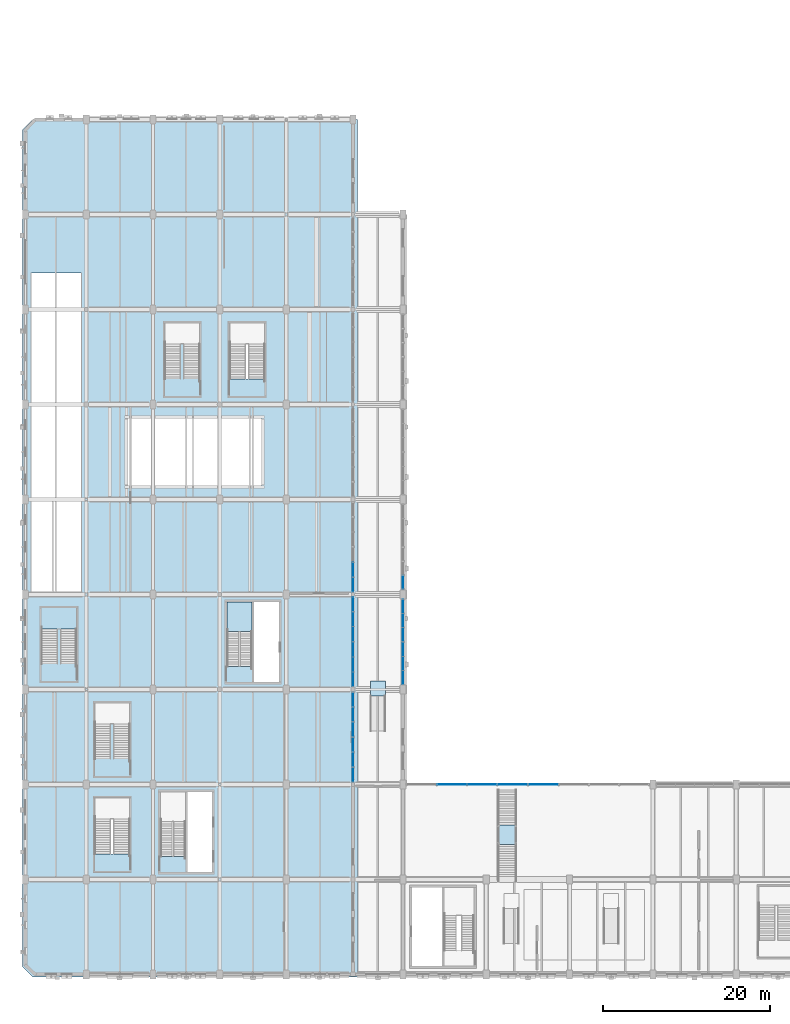
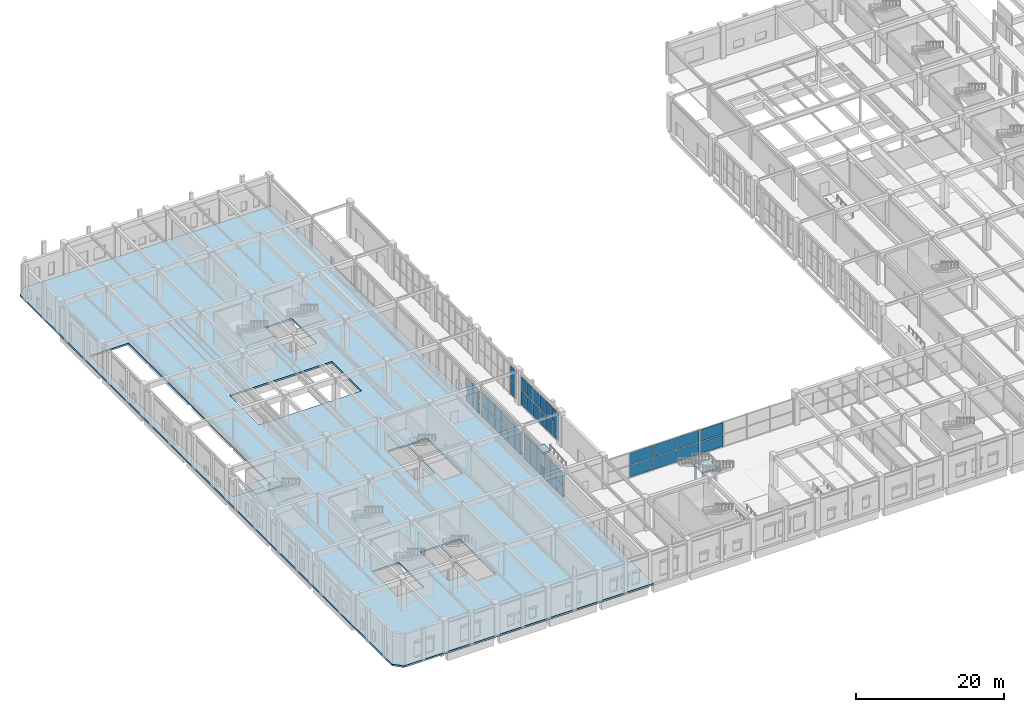
# One storey, part 73 of 113: 50 plates, 5 slabs, 13 elements without a shape of their own.
"""IFC4 building model written with IfcOpenShell, lengths in metres."""

import ifcopenshell
import ifcopenshell.guid

model = None  # the IFC model being written
_history = None  # IfcOwnerHistory: only IFC2X3 demands one
_inside = {}  # id of a spatial element -> (the spatial element, [elements in it])
_under = {}  # id of a project, library or spatial element -> (it, [spatial elements below it])
_declared = {}  # id of a project -> (the project, [libraries it declares])
_typed = {}  # id of a type object -> (the type object, [elements of that type])
_made_of = {}  # id of a material, layer set ... -> (it, [elements and type objects made of it])


def new_model(schema):
    """Start an empty IFC model of exactly this schema.

    Asked for "IFC4X3", IfcOpenShell would pick the latest addendum, in which some entities
    have other attributes; the version numbers below select the first issue.
    IFC2X3 requires an IfcOwnerHistory on every rooted entity: one is made here for all.
    """
    global model, _history
    if schema == "IFC4X3":
        model = ifcopenshell.file(schema_version=(4, 3, 0, 0))
    else:
        model = ifcopenshell.file(schema=schema)
    _inside.clear()
    _under.clear()
    _declared.clear()
    _typed.clear()
    _made_of.clear()
    _history = None
    if model.schema == "IFC2X3":
        org = make("IfcOrganization", Name="unknown")
        user = make(
            "IfcPersonAndOrganization",
            ThePerson=make("IfcPerson", FamilyName="unknown"),
            TheOrganization=org,
        )
        app = make(
            "IfcApplication",
            ApplicationDeveloper=org,
            Version="unknown",
            ApplicationFullName="unknown",
            ApplicationIdentifier="unknown",
        )
        _history = make(
            "IfcOwnerHistory",
            OwningUser=user,
            OwningApplication=app,
            ChangeAction="ADDED",
            CreationDate=0,
        )
    return model


def make(cls, **values):
    """One entity of the class cls with the attributes given. An attribute that is None is left unset."""
    return model.create_entity(
        cls, **{name: value for name, value in values.items() if value is not None}
    )


def rooted(cls, **values):
    """An entity with a GlobalId (a new one), such as an element, a storey or a relation."""
    return make(cls, GlobalId=ifcopenshell.guid.new(), OwnerHistory=_history, **values)


def si_unit(unit_type, name, prefix=None):
    """IfcSIUnit, for example si_unit("LENGTHUNIT", "METRE", prefix="MILLI")."""
    return make("IfcSIUnit", UnitType=unit_type, Prefix=prefix, Name=name)


def assignment(units):
    """IfcUnitAssignment: the units of a project."""
    return None if units is None else make("IfcUnitAssignment", Units=units)


def point(xyz):
    """IfcCartesianPoint."""
    return None if xyz is None else make("IfcCartesianPoint", Coordinates=xyz)


def direction(xyz):
    """IfcDirection."""
    return None if xyz is None else make("IfcDirection", DirectionRatios=xyz)


def frame(location, z_axis=None, x_axis=None):
    """IfcAxis2Placement3D, a coordinate frame: its origin and axes. An axis left out is left unset."""
    return make(
        "IfcAxis2Placement3D",
        Location=point(location),
        Axis=direction(z_axis),
        RefDirection=direction(x_axis),
    )


def frame_2d(location, x_axis=None):
    """IfcAxis2Placement2D, a coordinate frame in the plane: its origin and x axis."""
    return make(
        "IfcAxis2Placement2D", Location=point(location), RefDirection=direction(x_axis)
    )


def origin():
    """The frame at (0, 0, 0) with its axes left unset."""
    return frame((0.0, 0.0, 0.0))


def origin_2d():
    """The frame at (0, 0) in the plane with its x axis left unset."""
    return frame_2d((0.0, 0.0))


def place(relative_to, where):
    """IfcLocalPlacement: puts the frame where relative to a parent placement (None: the world)."""
    return make(
        "IfcLocalPlacement", PlacementRelTo=relative_to, RelativePlacement=where
    )


def context(
    kind, dimensions, precision=None, world=None, true_north=None, identifier=None
):
    """IfcGeometricRepresentationContext, for example the 3D "Model" context."""
    return make(
        "IfcGeometricRepresentationContext",
        ContextIdentifier=identifier,
        ContextType=kind,
        CoordinateSpaceDimension=dimensions,
        Precision=precision,
        WorldCoordinateSystem=world,
        TrueNorth=true_north,
    )


def subcontext(parent, identifier, kind, view, scale=None):
    """IfcGeometricRepresentationSubContext, for example "Body" below "Model"."""
    return make(
        "IfcGeometricRepresentationSubContext",
        ContextIdentifier=identifier,
        ContextType=kind,
        ParentContext=parent,
        TargetScale=scale,
        TargetView=view,
    )


def project(units=None, contexts=None):
    """IfcProject with its units and contexts."""
    return rooted(
        "IfcProject",
        Name="project",
        RepresentationContexts=contexts,
        UnitsInContext=assignment(units),
    )


def spatial(cls, under=None, at=None, **own):
    """A site, building, storey or space (cls), placed at a placement, below another one or the project."""
    s = rooted(cls, ObjectPlacement=at, **own)
    if under is not None:
        _under.setdefault(under.id(), (under, []))[1].append(s)
    return s


def polyline(points):
    """IfcPolyline through the points."""
    return make("IfcPolyline", Points=[point(p) for p in points])


def profile(cls, at=None, kind="AREA", **sizes):
    """A parametric profile (cls). Its sizes go by their IFC names, for example OverallWidth=200.0."""
    return make(cls, ProfileType=kind, Position=at, **sizes)


def rectangle(**sizes):
    """IfcRectangleProfileDef."""
    return profile("IfcRectangleProfileDef", **sizes)


def outline(outer, holes=None, kind="AREA"):
    """IfcArbitraryClosedProfileDef: a profile drawn as a closed curve; with holes, ...WithVoids."""
    if holes is None:
        return make("IfcArbitraryClosedProfileDef", ProfileType=kind, OuterCurve=outer)
    return make(
        "IfcArbitraryProfileDefWithVoids",
        ProfileType=kind,
        OuterCurve=outer,
        InnerCurves=holes,
    )


def extrude(swept, where, along, depth):
    """IfcExtrudedAreaSolid: the profile swept, set in the frame where, extruded along a direction by depth."""
    return make(
        "IfcExtrudedAreaSolid",
        SweptArea=swept,
        Position=where,
        ExtrudedDirection=direction(along),
        Depth=depth,
    )


def shape(context_of_items, identifier, shape_type, items):
    """IfcShapeRepresentation: the items that make up one representation, for example the "Body"."""
    return make(
        "IfcShapeRepresentation",
        ContextOfItems=context_of_items,
        RepresentationIdentifier=identifier,
        RepresentationType=shape_type,
        Items=items,
    )


def material(Name=None, Category=None):
    """IfcMaterial."""
    return make("IfcMaterial", Name=Name, Category=Category)


def layer(
    of_material, thickness, ventilated=None, Name=None, Category=None, Priority=None
):
    """IfcMaterialLayer: one layer of a wall or slab, of a material (None: an air gap)."""
    return make(
        "IfcMaterialLayer",
        Material=of_material,
        LayerThickness=thickness,
        IsVentilated=ventilated,
        Name=Name,
        Category=Category,
        Priority=Priority,
    )


def layer_set(layers, Name=None):
    """IfcMaterialLayerSet."""
    return make("IfcMaterialLayerSet", MaterialLayers=layers, LayerSetName=Name)


def made_of(thing, what):
    """Note that an element or type object is made of a material, layer set ...; save() writes the relation."""
    if what is not None:
        _made_of.setdefault(what.id(), (what, []))[1].append(thing)
    return thing


def type_object(cls, material=None, **own):
    """A type object (cls), such as IfcWallType, which elements share."""
    return made_of(rooted(cls, **own), material)


def element(
    cls,
    number,
    at=None,
    inside=None,
    cuts=None,
    type_object=None,
    material=None,
    context=None,
    identifier="Body",
    shape_type=None,
    held_by="IfcProductDefinitionShape",
    body=None,
    shapes=None,
    **own,
):
    """One element of the class cls, such as IfcWall. Its Tag is "e" and its number.

    at: its placement. inside: the storey or other place that contains it. cuts: it is an
    opening in that element (IfcRelVoidsElement). A single representation is given by context,
    identifier, shape_type and body (its items); several are given by shapes. held_by: the class
    of the entity that holds the representations. save() writes the other relations.
    """
    e = rooted(cls, Tag="e%d" % number, ObjectPlacement=at, **own)
    if body is not None:
        shapes = [shape(context, identifier, shape_type, body)]
    if shapes is not None:
        e.Representation = make(held_by, Representations=shapes)
    if inside is not None:
        _inside.setdefault(inside.id(), (inside, []))[1].append(e)
    if cuts is not None:
        rooted(
            "IfcRelVoidsElement", RelatingBuildingElement=cuts, RelatedOpeningElement=e
        )
    if type_object is not None:
        _typed.setdefault(type_object.id(), (type_object, []))[1].append(e)
    return made_of(e, material)


def aggregate(whole, parts):
    """IfcRelAggregates: a whole, such as a stair, and the parts it consists of."""
    return rooted("IfcRelAggregates", RelatingObject=whole, RelatedObjects=parts)


def save(model, path):
    """Write the relations noted so far, then the file.

    IfcRelAggregates (storeys below a building ...), IfcRelContainedInSpatialStructure (elements
    in a storey), IfcRelDefinesByType, IfcRelAssociatesMaterial and IfcRelDeclares: one each for
    every whole, place, type object, material and project.
    """
    for whole, parts in _under.values():
        aggregate(whole, parts)
    for where, things in _inside.values():
        rooted(
            "IfcRelContainedInSpatialStructure",
            RelatedElements=things,
            RelatingStructure=where,
        )
    for kind, things in _typed.values():
        rooted("IfcRelDefinesByType", RelatedObjects=things, RelatingType=kind)
    for what, things in _made_of.values():
        rooted("IfcRelAssociatesMaterial", RelatedObjects=things, RelatingMaterial=what)
    for by, libraries in _declared.values():
        rooted("IfcRelDeclares", RelatingContext=by, RelatedDefinitions=libraries)
    model.write(path)


model = new_model("IFC4")

# Units and contexts
model_context = context("Model", 3, precision=1e-05, world=origin(), true_north=direction((0.0, 1.0)))
body_context = subcontext(model_context, "Body", "Model", "MODEL_VIEW")
ifc_project = project(units=[si_unit("LENGTHUNIT", "METRE"), si_unit("AREAUNIT", "SQUARE_METRE"), si_unit("VOLUMEUNIT", "CUBIC_METRE"), si_unit("PLANEANGLEUNIT", "RADIAN"), si_unit("MASSUNIT", "GRAM", prefix="KILO"), si_unit("POWERUNIT", "WATT"), si_unit("THERMODYNAMICTEMPERATUREUNIT", "KELVIN")], contexts=[model_context])

# Site, building, storey
site_placement = place(None, origin())
site = spatial("IfcSite", under=ifc_project, at=site_placement, CompositionType="ELEMENT")
building_placement = place(site_placement, origin())
building = spatial("IfcBuilding", under=site, at=building_placement, Name="Kelmbourne Parkland Aquatics Centre", CompositionType="ELEMENT")
storey_placement = place(building_placement, origin())
storey = spatial("IfcBuildingStorey", under=building, at=storey_placement, Name="L00", CompositionType="ELEMENT", Elevation=0.0)

# Curtain wall, plates
ifc_material_1 = material(Name="Thermally broken anodised aluminium framing", Category="aluminium")
ifc_layer_1 = layer(ifc_material_1, 0.179931640625)
ifc_layer_set_1 = layer_set([ifc_layer_1], Name="Thermally broken anodised aluminium framing")
curtain_wall_type_1 = type_object("IfcCurtainWallType", Name="CW-24", PredefinedType="NOTDEFINED", material=ifc_layer_set_1)
curtain_wall_1_placement = place(storey_placement, origin())
curtain_wall_1 = element("IfcCurtainWall", 1, at=curtain_wall_1_placement, inside=storey, type_object=curtain_wall_type_1, Name="Facade curtain wall CW-L00-168", PredefinedType="NOTDEFINED")
ifc_material_2 = material(Name="Double-glazed low-e laminated safety glass", Category="glass")
ifc_layer_2 = layer(ifc_material_2, 0.02392578125)
ifc_layer_set_2 = layer_set([ifc_layer_2], Name="Double-glazed low-e laminated safety glass")
plate_type_1 = type_object("IfcPlateType", Name="PL-CWP-1", PredefinedType="CURTAIN_PANEL", material=ifc_layer_set_2)
plate_1_placement = place(storey_placement, frame((51.87255859375, 23.60009765625, 0.1171875), z_axis=(0.0, 0.0, 1.0), x_axis=(1.0, 0.0, 0.0)))
plate_1 = element("IfcPlate", 2, at=plate_1_placement, type_object=plate_type_1, Name="CW-L00-168 vision glazing 0-1", PredefinedType="CURTAIN_PANEL", context=body_context, shape_type="SweptSolid", body=[
    extrude(rectangle(XDim=3.549072265625, YDim=0.02392578125, at=origin_2d()), origin(), (0.0, 0.0, 1.0), 1.951416015625),
])
plate_2_placement = place(storey_placement, frame((55.50439453125, 23.60009765625, 0.1171875), z_axis=(0.0, 0.0, 1.0), x_axis=(1.0, 0.0, 0.0)))
plate_2 = element("IfcPlate", 3, at=plate_2_placement, type_object=plate_type_1, Name="CW-L00-168 vision glazing 0-2", PredefinedType="CURTAIN_PANEL", context=body_context, shape_type="SweptSolid", body=[
    extrude(rectangle(XDim=3.549072265625, YDim=0.02392578125, at=origin_2d()), origin(), (0.0, 0.0, 1.0), 1.951416015625),
])
plate_3_placement = place(storey_placement, frame((59.136474609375, 23.60009765625, 0.1171875), z_axis=(0.0, 0.0, 1.0), x_axis=(1.0, 0.0, 0.0)))
plate_3 = element("IfcPlate", 4, at=plate_3_placement, type_object=plate_type_1, Name="CW-L00-168 vision glazing 0-3", PredefinedType="CURTAIN_PANEL", context=body_context, shape_type="SweptSolid", body=[
    extrude(rectangle(XDim=3.549072265625, YDim=0.02392578125, at=origin_2d()), origin(), (0.0, 0.0, 1.0), 1.951416015625),
])

ifc_layer_3 = layer(ifc_material_1, 0.179931640625)
ifc_layer_set_3 = layer_set([ifc_layer_3], Name="Thermally broken anodised aluminium framing")
curtain_wall_type_2 = type_object("IfcCurtainWallType", Name="CW-05", PredefinedType="NOTDEFINED", material=ifc_layer_set_3)
curtain_wall_2_placement = place(storey_placement, origin())
curtain_wall_2 = element("IfcCurtainWall", 5, at=curtain_wall_2_placement, inside=storey, type_object=curtain_wall_type_2, Name="Facade curtain wall CW-L00-173", PredefinedType="NOTDEFINED")
plate_4_placement = place(storey_placement, frame((46.0, 41.589599609375, 2.56005859375), z_axis=(0.0, 0.0, 1.0), x_axis=(0.0, 1.0, 0.0)))
plate_4 = element("IfcPlate", 6, at=plate_4_placement, type_object=plate_type_1, Name="CW-L00-173 vision glazing 1-0", PredefinedType="CURTAIN_PANEL", context=body_context, shape_type="SweptSolid", body=[
    extrude(rectangle(XDim=1.601318359375, YDim=0.02392578125, at=origin_2d()), origin(), (0.0, 0.0, 1.0), 2.215087890625),
])
plate_5_placement = place(storey_placement, frame((46.0, 43.27392578125, 2.56005859375), z_axis=(0.0, 0.0, 1.0), x_axis=(0.0, 1.0, 0.0)))
plate_5 = element("IfcPlate", 7, at=plate_5_placement, type_object=plate_type_1, Name="CW-L00-173 vision glazing 1-1", PredefinedType="CURTAIN_PANEL", context=body_context, shape_type="SweptSolid", body=[
    extrude(rectangle(XDim=1.601318359375, YDim=0.02392578125, at=origin_2d()), origin(), (0.0, 0.0, 1.0), 2.215087890625),
])
plate_6_placement = place(storey_placement, frame((46.0, 44.95849609375, 2.56005859375), z_axis=(0.0, 0.0, 1.0), x_axis=(0.0, 1.0, 0.0)))
plate_6 = element("IfcPlate", 8, at=plate_6_placement, type_object=plate_type_1, Name="CW-L00-173 vision glazing 1-2", PredefinedType="CURTAIN_PANEL", context=body_context, shape_type="SweptSolid", body=[
    extrude(rectangle(XDim=1.601318359375, YDim=0.02392578125, at=origin_2d()), origin(), (0.0, 0.0, 1.0), 2.215087890625),
])

# Curtain wall, plate
ifc_layer_4 = layer(ifc_material_1, 0.179931640625)
ifc_layer_set_4 = layer_set([ifc_layer_4], Name="Thermally broken anodised aluminium framing")
curtain_wall_type_3 = type_object("IfcCurtainWallType", Name="CW-06", PredefinedType="NOTDEFINED", material=ifc_layer_set_4)
curtain_wall_3_placement = place(storey_placement, origin())
curtain_wall_3 = element("IfcCurtainWall", 9, at=curtain_wall_3_placement, inside=storey, type_object=curtain_wall_type_3, Name="Facade curtain wall CW-L00-174", PredefinedType="NOTDEFINED")
plate_7_placement = place(storey_placement, frame((46.0, 47.844970703125, 0.1171875), z_axis=(0.0, 0.0, 1.0), x_axis=(0.0, 1.0, 0.0)))
plate_7 = element("IfcPlate", 10, at=plate_7_placement, type_object=plate_type_1, Name="CW-L00-174 vision glazing 0-0", PredefinedType="CURTAIN_PANEL", context=body_context, shape_type="SweptSolid", body=[
    extrude(rectangle(XDim=1.587890625, YDim=0.02392578125, at=origin_2d()), origin(), (0.0, 0.0, 1.0), 2.304931640625),
])

# Curtain wall, plates
ifc_layer_5 = layer(ifc_material_1, 0.179931640625)
ifc_layer_set_5 = layer_set([ifc_layer_5], Name="Thermally broken anodised aluminium framing")
curtain_wall_type_4 = type_object("IfcCurtainWallType", Name="CW-21", PredefinedType="NOTDEFINED", material=ifc_layer_set_5)
curtain_wall_4_placement = place(storey_placement, origin())
curtain_wall_4 = element("IfcCurtainWall", 11, at=curtain_wall_4_placement, inside=storey, type_object=curtain_wall_type_4, Name="Facade curtain wall CW-L00-213", PredefinedType="NOTDEFINED")
plate_8_placement = place(storey_placement, frame((40.0, 24.78759765625, 0.1171875), z_axis=(0.0, 0.0, 1.0), x_axis=(0.0, 1.0, 0.0)))
plate_8 = element("IfcPlate", 12, at=plate_8_placement, type_object=plate_type_1, Name="CW-L00-213 vision glazing 0-0", PredefinedType="CURTAIN_PANEL", context=body_context, shape_type="SweptSolid", body=[
    extrude(rectangle(XDim=1.693115234375, YDim=0.02392578125, at=origin_2d()), origin(), (0.0, 0.0, 1.0), 1.951416015625),
])
plate_9_placement = place(storey_placement, frame((40.0, 26.5634765625, 0.1171875), z_axis=(0.0, 0.0, 1.0), x_axis=(0.0, 1.0, 0.0)))
plate_9 = element("IfcPlate", 13, at=plate_9_placement, type_object=plate_type_1, Name="CW-L00-213 vision glazing 0-1", PredefinedType="CURTAIN_PANEL", context=body_context, shape_type="SweptSolid", body=[
    extrude(rectangle(XDim=1.693115234375, YDim=0.02392578125, at=origin_2d()), origin(), (0.0, 0.0, 1.0), 1.951416015625),
])
plate_10_placement = place(storey_placement, frame((40.0, 28.339599609375, 0.1171875), z_axis=(0.0, 0.0, 1.0), x_axis=(0.0, 1.0, 0.0)))
plate_10 = element("IfcPlate", 14, at=plate_10_placement, type_object=plate_type_1, Name="CW-L00-213 vision glazing 0-2", PredefinedType="CURTAIN_PANEL", context=body_context, shape_type="SweptSolid", body=[
    extrude(rectangle(XDim=1.693115234375, YDim=0.02392578125, at=origin_2d()), origin(), (0.0, 0.0, 1.0), 1.951416015625),
])

ifc_layer_6 = layer(ifc_material_1, 0.179931640625)
ifc_layer_set_6 = layer_set([ifc_layer_6], Name="Thermally broken anodised aluminium framing")
curtain_wall_type_5 = type_object("IfcCurtainWallType", Name="CW-23", PredefinedType="NOTDEFINED", material=ifc_layer_set_6)
curtain_wall_5_placement = place(storey_placement, origin())
curtain_wall_5 = element("IfcCurtainWall", 15, at=curtain_wall_5_placement, inside=storey, type_object=curtain_wall_type_5, Name="Facade curtain wall CW-L00-215", PredefinedType="NOTDEFINED")
plate_11_placement = place(storey_placement, frame((40.0, 36.2275390625, 2.20654296875), z_axis=(0.0, 0.0, 1.0), x_axis=(0.0, 1.0, 0.0)))
plate_11 = element("IfcPlate", 16, at=plate_11_placement, type_object=plate_type_1, Name="CW-L00-215 vision glazing 1-0", PredefinedType="CURTAIN_PANEL", context=body_context, shape_type="SweptSolid", body=[
    extrude(rectangle(XDim=1.73291015625, YDim=0.02392578125, at=origin_2d()), origin(), (0.0, 0.0, 1.0), 1.861572265625),
])
plate_12_placement = place(storey_placement, frame((40.0, 38.013427734375, 2.20654296875), z_axis=(0.0, 0.0, 1.0), x_axis=(0.0, 1.0, 0.0)))
plate_12 = element("IfcPlate", 17, at=plate_12_placement, type_object=plate_type_1, Name="CW-L00-215 vision glazing 1-1", PredefinedType="CURTAIN_PANEL", context=body_context, shape_type="SweptSolid", body=[
    extrude(rectangle(XDim=1.73291015625, YDim=0.02392578125, at=origin_2d()), origin(), (0.0, 0.0, 1.0), 1.861572265625),
])
plate_13_placement = place(storey_placement, frame((40.0, 39.799560546875, 2.20654296875), z_axis=(0.0, 0.0, 1.0), x_axis=(0.0, 1.0, 0.0)))
plate_13 = element("IfcPlate", 18, at=plate_13_placement, type_object=plate_type_1, Name="CW-L00-215 vision glazing 1-2", PredefinedType="CURTAIN_PANEL", context=body_context, shape_type="SweptSolid", body=[
    extrude(rectangle(XDim=1.73291015625, YDim=0.02392578125, at=origin_2d()), origin(), (0.0, 0.0, 1.0), 1.861572265625),
])

curtain_wall_6_placement = place(storey_placement, origin())
curtain_wall_6 = element("IfcCurtainWall", 19, at=curtain_wall_6_placement, inside=storey, type_object=curtain_wall_type_1, Name="Facade curtain wall CW-L00-216", PredefinedType="NOTDEFINED")
plate_14_placement = place(storey_placement, frame((40.0, 41.65380859375, 0.1171875), z_axis=(0.0, 0.0, 1.0), x_axis=(0.0, 1.0, 0.0)))
plate_14 = element("IfcPlate", 20, at=plate_14_placement, type_object=plate_type_1, Name="CW-L00-216 vision glazing 0-0", PredefinedType="CURTAIN_PANEL", context=body_context, shape_type="SweptSolid", body=[
    extrude(rectangle(XDim=1.7197265625, YDim=0.02392578125, at=origin_2d()), origin(), (0.0, 0.0, 1.0), 1.951416015625),
])
plate_15_placement = place(storey_placement, frame((40.0, 43.4365234375, 0.1171875), z_axis=(0.0, 0.0, 1.0), x_axis=(0.0, 1.0, 0.0)))
plate_15 = element("IfcPlate", 21, at=plate_15_placement, type_object=plate_type_1, Name="CW-L00-216 vision glazing 0-1", PredefinedType="CURTAIN_PANEL", context=body_context, shape_type="SweptSolid", body=[
    extrude(rectangle(XDim=1.719482421875, YDim=0.02392578125, at=origin_2d()), origin(), (0.0, 0.0, 1.0), 1.951416015625),
])
plate_16_placement = place(storey_placement, frame((40.0, 45.218994140625, 0.1171875), z_axis=(0.0, 0.0, 1.0), x_axis=(0.0, 1.0, 0.0)))
plate_16 = element("IfcPlate", 22, at=plate_16_placement, type_object=plate_type_1, Name="CW-L00-216 vision glazing 0-2", PredefinedType="CURTAIN_PANEL", context=body_context, shape_type="SweptSolid", body=[
    extrude(rectangle(XDim=1.7197265625, YDim=0.02392578125, at=origin_2d()), origin(), (0.0, 0.0, 1.0), 1.951416015625),
])

# Plate
ifc_layer_7 = layer(ifc_material_2, 0.035888671875)
ifc_layer_set_7 = layer_set([ifc_layer_7], Name="Double-glazed low-e laminated safety glass")
plate_type_2 = type_object("IfcPlateType", Name="PL-CWP-2", PredefinedType="CURTAIN_PANEL", material=ifc_layer_set_7)
plate_17_placement = place(storey_placement, frame((51.87255859375, 23.60009765625, 2.1767578125), z_axis=(0.0, 0.0, 1.0), x_axis=(1.0, 0.0, 0.0)))
plate_17 = element("IfcPlate", 23, at=plate_17_placement, type_object=plate_type_2, Name="CW-L00-168 vision glazing 1-1", PredefinedType="CURTAIN_PANEL", context=body_context, shape_type="SweptSolid", body=[
    extrude(rectangle(XDim=3.549072265625, YDim=0.035888671875, at=origin_2d()), origin(), (0.0, 0.0, 1.0), 1.951416015625),
])

plate_18_placement = place(storey_placement, frame((55.50439453125, 23.60009765625, 2.1767578125), z_axis=(0.0, 0.0, 1.0), x_axis=(1.0, 0.0, 0.0)))
plate_18 = element("IfcPlate", 24, at=plate_18_placement, type_object=plate_type_2, Name="CW-L00-168 vision glazing 1-2", PredefinedType="CURTAIN_PANEL", context=body_context, shape_type="SweptSolid", body=[
    extrude(rectangle(XDim=3.549072265625, YDim=0.035888671875, at=origin_2d()), origin(), (0.0, 0.0, 1.0), 1.951416015625),
])

plate_19_placement = place(storey_placement, frame((59.136474609375, 23.60009765625, 2.1767578125), z_axis=(0.0, 0.0, 1.0), x_axis=(1.0, 0.0, 0.0)))
plate_19 = element("IfcPlate", 25, at=plate_19_placement, type_object=plate_type_2, Name="CW-L00-168 vision glazing 1-3", PredefinedType="CURTAIN_PANEL", context=body_context, shape_type="SweptSolid", body=[
    extrude(rectangle(XDim=3.549072265625, YDim=0.035888671875, at=origin_2d()), origin(), (0.0, 0.0, 1.0), 1.951416015625),
])

aggregate(curtain_wall_1, [plate_1, plate_2, plate_3, plate_17, plate_18, plate_19])

# Curtain wall, plate
ifc_layer_8 = layer(ifc_material_1, 0.179931640625)
ifc_layer_set_8 = layer_set([ifc_layer_8], Name="Thermally broken anodised aluminium framing")
curtain_wall_type_6 = type_object("IfcCurtainWallType", Name="CW-01", PredefinedType="NOTDEFINED", material=ifc_layer_set_8)
curtain_wall_7_placement = place(storey_placement, origin())
curtain_wall_7 = element("IfcCurtainWall", 26, at=curtain_wall_7_placement, inside=storey, type_object=curtain_wall_type_6, Name="Facade curtain wall CW-L00-169", PredefinedType="NOTDEFINED")
plate_20_placement = place(storey_placement, frame((62.8671875, 23.60009765625, 0.14697265625), z_axis=(0.0, 0.0, 1.0), x_axis=(1.0, 0.0, 0.0)))
plate_20 = element("IfcPlate", 27, at=plate_20_placement, type_object=plate_type_2, Name="CW-L00-169 vision glazing 0-0", PredefinedType="CURTAIN_PANEL", context=body_context, shape_type="SweptSolid", body=[
    extrude(rectangle(XDim=3.53662109375, YDim=0.035888671875, at=origin_2d()), origin(), (0.0, 0.0, 1.0), 1.906494140625),
])

# Curtain wall, plates
ifc_layer_9 = layer(ifc_material_1, 0.179931640625)
ifc_layer_set_9 = layer_set([ifc_layer_9], Name="Thermally broken anodised aluminium framing")
curtain_wall_type_7 = type_object("IfcCurtainWallType", Name="CW-04", PredefinedType="NOTDEFINED", material=ifc_layer_set_9)
curtain_wall_8_placement = place(storey_placement, origin())
curtain_wall_8 = element("IfcCurtainWall", 28, at=curtain_wall_8_placement, inside=storey, type_object=curtain_wall_type_7, Name="Facade curtain wall CW-L00-172", PredefinedType="NOTDEFINED")
plate_21_placement = place(storey_placement, frame((46.0, 36.438232421875, 0.14697265625), z_axis=(0.0, 0.0, 1.0), x_axis=(0.0, 1.0, 0.0)))
plate_21 = element("IfcPlate", 29, at=plate_21_placement, type_object=plate_type_2, Name="CW-L00-172 vision glazing 0-0", PredefinedType="CURTAIN_PANEL", context=body_context, shape_type="SweptSolid", body=[
    extrude(rectangle(XDim=1.61474609375, YDim=0.035888671875, at=origin_2d()), origin(), (0.0, 0.0, 1.0), 2.260009765625),
])
plate_22_placement = place(storey_placement, frame((46.0, 38.1259765625, 0.14697265625), z_axis=(0.0, 0.0, 1.0), x_axis=(0.0, 1.0, 0.0)))
plate_22 = element("IfcPlate", 30, at=plate_22_placement, type_object=plate_type_2, Name="CW-L00-172 vision glazing 0-1", PredefinedType="CURTAIN_PANEL", context=body_context, shape_type="SweptSolid", body=[
    extrude(rectangle(XDim=1.614501953125, YDim=0.035888671875, at=origin_2d()), origin(), (0.0, 0.0, 1.0), 2.260009765625),
])
plate_23_placement = place(storey_placement, frame((46.0, 39.813720703125, 0.14697265625), z_axis=(0.0, 0.0, 1.0), x_axis=(0.0, 1.0, 0.0)))
plate_23 = element("IfcPlate", 31, at=plate_23_placement, type_object=plate_type_2, Name="CW-L00-172 vision glazing 0-2", PredefinedType="CURTAIN_PANEL", context=body_context, shape_type="SweptSolid", body=[
    extrude(rectangle(XDim=1.61474609375, YDim=0.035888671875, at=origin_2d()), origin(), (0.0, 0.0, 1.0), 2.260009765625),
])

# Plate
plate_24_placement = place(storey_placement, frame((46.0, 47.844970703125, 2.5302734375), z_axis=(0.0, 0.0, 1.0), x_axis=(0.0, 1.0, 0.0)))
plate_24 = element("IfcPlate", 32, at=plate_24_placement, type_object=plate_type_2, Name="CW-L00-174 vision glazing 1-0", PredefinedType="CURTAIN_PANEL", context=body_context, shape_type="SweptSolid", body=[
    extrude(rectangle(XDim=1.587890625, YDim=0.035888671875, at=origin_2d()), origin(), (0.0, 0.0, 1.0), 2.304931640625),
])

aggregate(curtain_wall_3, [plate_7, plate_24])

plate_25_placement = place(storey_placement, frame((40.0, 24.78759765625, 2.1767578125), z_axis=(0.0, 0.0, 1.0), x_axis=(0.0, 1.0, 0.0)))
plate_25 = element("IfcPlate", 33, at=plate_25_placement, type_object=plate_type_2, Name="CW-L00-213 vision glazing 1-0", PredefinedType="CURTAIN_PANEL", context=body_context, shape_type="SweptSolid", body=[
    extrude(rectangle(XDim=1.693115234375, YDim=0.035888671875, at=origin_2d()), origin(), (0.0, 0.0, 1.0), 1.951416015625),
])

plate_26_placement = place(storey_placement, frame((40.0, 26.5634765625, 2.1767578125), z_axis=(0.0, 0.0, 1.0), x_axis=(0.0, 1.0, 0.0)))
plate_26 = element("IfcPlate", 34, at=plate_26_placement, type_object=plate_type_2, Name="CW-L00-213 vision glazing 1-1", PredefinedType="CURTAIN_PANEL", context=body_context, shape_type="SweptSolid", body=[
    extrude(rectangle(XDim=1.693115234375, YDim=0.035888671875, at=origin_2d()), origin(), (0.0, 0.0, 1.0), 1.951416015625),
])

plate_27_placement = place(storey_placement, frame((40.0, 28.339599609375, 2.1767578125), z_axis=(0.0, 0.0, 1.0), x_axis=(0.0, 1.0, 0.0)))
plate_27 = element("IfcPlate", 35, at=plate_27_placement, type_object=plate_type_2, Name="CW-L00-213 vision glazing 1-2", PredefinedType="CURTAIN_PANEL", context=body_context, shape_type="SweptSolid", body=[
    extrude(rectangle(XDim=1.693115234375, YDim=0.035888671875, at=origin_2d()), origin(), (0.0, 0.0, 1.0), 1.951416015625),
])

aggregate(curtain_wall_4, [plate_8, plate_9, plate_10, plate_25, plate_26, plate_27])

# Curtain wall, plates
ifc_layer_10 = layer(ifc_material_1, 0.179931640625)
ifc_layer_set_10 = layer_set([ifc_layer_10], Name="Thermally broken anodised aluminium framing")
curtain_wall_type_8 = type_object("IfcCurtainWallType", Name="CW-22", PredefinedType="NOTDEFINED", material=ifc_layer_set_10)
curtain_wall_9_placement = place(storey_placement, origin())
curtain_wall_9 = element("IfcCurtainWall", 36, at=curtain_wall_9_placement, inside=storey, type_object=curtain_wall_type_8, Name="Facade curtain wall CW-L00-214", PredefinedType="NOTDEFINED")
plate_28_placement = place(storey_placement, frame((40.0, 30.2138671875, 0.14697265625), z_axis=(0.0, 0.0, 1.0), x_axis=(0.0, 1.0, 0.0)))
plate_28 = element("IfcPlate", 37, at=plate_28_placement, type_object=plate_type_2, Name="CW-L00-214 vision glazing 0-0", PredefinedType="CURTAIN_PANEL", context=body_context, shape_type="SweptSolid", body=[
    extrude(rectangle(XDim=1.6796875, YDim=0.035888671875, at=origin_2d()), origin(), (0.0, 0.0, 1.0), 1.906494140625),
])
plate_29_placement = place(storey_placement, frame((40.0, 31.986572265625, 0.14697265625), z_axis=(0.0, 0.0, 1.0), x_axis=(0.0, 1.0, 0.0)))
plate_29 = element("IfcPlate", 38, at=plate_29_placement, type_object=plate_type_2, Name="CW-L00-214 vision glazing 0-1", PredefinedType="CURTAIN_PANEL", context=body_context, shape_type="SweptSolid", body=[
    extrude(rectangle(XDim=1.6796875, YDim=0.035888671875, at=origin_2d()), origin(), (0.0, 0.0, 1.0), 1.906494140625),
])
plate_30_placement = place(storey_placement, frame((40.0, 33.759033203125, 0.14697265625), z_axis=(0.0, 0.0, 1.0), x_axis=(0.0, 1.0, 0.0)))
plate_30 = element("IfcPlate", 39, at=plate_30_placement, type_object=plate_type_2, Name="CW-L00-214 vision glazing 0-2", PredefinedType="CURTAIN_PANEL", context=body_context, shape_type="SweptSolid", body=[
    extrude(rectangle(XDim=1.6796875, YDim=0.035888671875, at=origin_2d()), origin(), (0.0, 0.0, 1.0), 1.906494140625),
])

# Plate
plate_31_placement = place(storey_placement, frame((40.0, 41.65380859375, 2.1767578125), z_axis=(0.0, 0.0, 1.0), x_axis=(0.0, 1.0, 0.0)))
plate_31 = element("IfcPlate", 40, at=plate_31_placement, type_object=plate_type_2, Name="CW-L00-216 vision glazing 1-0", PredefinedType="CURTAIN_PANEL", context=body_context, shape_type="SweptSolid", body=[
    extrude(rectangle(XDim=1.7197265625, YDim=0.035888671875, at=origin_2d()), origin(), (0.0, 0.0, 1.0), 1.951416015625),
])

plate_32_placement = place(storey_placement, frame((40.0, 43.4365234375, 2.1767578125), z_axis=(0.0, 0.0, 1.0), x_axis=(0.0, 1.0, 0.0)))
plate_32 = element("IfcPlate", 41, at=plate_32_placement, type_object=plate_type_2, Name="CW-L00-216 vision glazing 1-1", PredefinedType="CURTAIN_PANEL", context=body_context, shape_type="SweptSolid", body=[
    extrude(rectangle(XDim=1.719482421875, YDim=0.035888671875, at=origin_2d()), origin(), (0.0, 0.0, 1.0), 1.951416015625),
])

plate_33_placement = place(storey_placement, frame((40.0, 45.218994140625, 2.1767578125), z_axis=(0.0, 0.0, 1.0), x_axis=(0.0, 1.0, 0.0)))
plate_33 = element("IfcPlate", 42, at=plate_33_placement, type_object=plate_type_2, Name="CW-L00-216 vision glazing 1-2", PredefinedType="CURTAIN_PANEL", context=body_context, shape_type="SweptSolid", body=[
    extrude(rectangle(XDim=1.7197265625, YDim=0.035888671875, at=origin_2d()), origin(), (0.0, 0.0, 1.0), 1.951416015625),
])

aggregate(curtain_wall_6, [plate_14, plate_15, plate_16, plate_31, plate_32, plate_33])

# Curtain wall, plates
curtain_wall_10_placement = place(storey_placement, origin())
curtain_wall_10 = element("IfcCurtainWall", 43, at=curtain_wall_10_placement, inside=storey, type_object=curtain_wall_type_6, Name="Facade curtain wall CW-L00-217", PredefinedType="NOTDEFINED")
plate_34_placement = place(storey_placement, frame((40.0, 47.584228515625, 0.14697265625), z_axis=(0.0, 0.0, 1.0), x_axis=(0.0, 1.0, 0.0)))
plate_34 = element("IfcPlate", 44, at=plate_34_placement, type_object=plate_type_2, Name="CW-L00-217 vision glazing 0-0", PredefinedType="CURTAIN_PANEL", context=body_context, shape_type="SweptSolid", body=[
    extrude(rectangle(XDim=1.706298828125, YDim=0.035888671875, at=origin_2d()), origin(), (0.0, 0.0, 1.0), 1.906494140625),
])
plate_35_placement = place(storey_placement, frame((40.0, 49.363525390625, 0.14697265625), z_axis=(0.0, 0.0, 1.0), x_axis=(0.0, 1.0, 0.0)))
plate_35 = element("IfcPlate", 45, at=plate_35_placement, type_object=plate_type_2, Name="CW-L00-217 vision glazing 0-1", PredefinedType="CURTAIN_PANEL", context=body_context, shape_type="SweptSolid", body=[
    extrude(rectangle(XDim=1.706298828125, YDim=0.035888671875, at=origin_2d()), origin(), (0.0, 0.0, 1.0), 1.906494140625),
])

# Plate
ifc_layer_11 = layer(ifc_material_2, 0.048095703125)
ifc_layer_set_11 = layer_set([ifc_layer_11], Name="Double-glazed low-e laminated safety glass")
plate_type_3 = type_object("IfcPlateType", Name="PL-CWP-3", PredefinedType="CURTAIN_PANEL", material=ifc_layer_set_11)
plate_36_placement = place(storey_placement, frame((62.8671875, 23.60009765625, 2.19140625), z_axis=(0.0, 0.0, 1.0), x_axis=(1.0, 0.0, 0.0)))
plate_36 = element("IfcPlate", 46, at=plate_36_placement, type_object=plate_type_3, Name="CW-L00-169 vision glazing 1-0", PredefinedType="CURTAIN_PANEL", context=body_context, shape_type="SweptSolid", body=[
    extrude(rectangle(XDim=3.53662109375, YDim=0.048095703125, at=origin_2d()), origin(), (0.0, 0.0, 1.0), 1.906494140625),
])

aggregate(curtain_wall_7, [plate_20, plate_36])

plate_37_placement = place(storey_placement, frame((46.0, 36.438232421875, 2.544921875), z_axis=(0.0, 0.0, 1.0), x_axis=(0.0, 1.0, 0.0)))
plate_37 = element("IfcPlate", 47, at=plate_37_placement, type_object=plate_type_3, Name="CW-L00-172 vision glazing 1-0", PredefinedType="CURTAIN_PANEL", context=body_context, shape_type="SweptSolid", body=[
    extrude(rectangle(XDim=1.61474609375, YDim=0.048095703125, at=origin_2d()), origin(), (0.0, 0.0, 1.0), 2.260009765625),
])

plate_38_placement = place(storey_placement, frame((46.0, 38.1259765625, 2.544921875), z_axis=(0.0, 0.0, 1.0), x_axis=(0.0, 1.0, 0.0)))
plate_38 = element("IfcPlate", 48, at=plate_38_placement, type_object=plate_type_3, Name="CW-L00-172 vision glazing 1-1", PredefinedType="CURTAIN_PANEL", context=body_context, shape_type="SweptSolid", body=[
    extrude(rectangle(XDim=1.614501953125, YDim=0.048095703125, at=origin_2d()), origin(), (0.0, 0.0, 1.0), 2.260009765625),
])

plate_39_placement = place(storey_placement, frame((46.0, 39.813720703125, 2.544921875), z_axis=(0.0, 0.0, 1.0), x_axis=(0.0, 1.0, 0.0)))
plate_39 = element("IfcPlate", 49, at=plate_39_placement, type_object=plate_type_3, Name="CW-L00-172 vision glazing 1-2", PredefinedType="CURTAIN_PANEL", context=body_context, shape_type="SweptSolid", body=[
    extrude(rectangle(XDim=1.61474609375, YDim=0.048095703125, at=origin_2d()), origin(), (0.0, 0.0, 1.0), 2.260009765625),
])

aggregate(curtain_wall_8, [plate_21, plate_22, plate_23, plate_37, plate_38, plate_39])

plate_40_placement = place(storey_placement, frame((46.0, 41.589599609375, 0.1767578125), z_axis=(0.0, 0.0, 1.0), x_axis=(0.0, 1.0, 0.0)))
plate_40 = element("IfcPlate", 50, at=plate_40_placement, type_object=plate_type_3, Name="CW-L00-173 vision glazing 0-0", PredefinedType="CURTAIN_PANEL", context=body_context, shape_type="SweptSolid", body=[
    extrude(rectangle(XDim=1.601318359375, YDim=0.048095703125, at=origin_2d()), origin(), (0.0, 0.0, 1.0), 2.215087890625),
])

plate_41_placement = place(storey_placement, frame((46.0, 43.27392578125, 0.1767578125), z_axis=(0.0, 0.0, 1.0), x_axis=(0.0, 1.0, 0.0)))
plate_41 = element("IfcPlate", 51, at=plate_41_placement, type_object=plate_type_3, Name="CW-L00-173 vision glazing 0-1", PredefinedType="CURTAIN_PANEL", context=body_context, shape_type="SweptSolid", body=[
    extrude(rectangle(XDim=1.601318359375, YDim=0.048095703125, at=origin_2d()), origin(), (0.0, 0.0, 1.0), 2.215087890625),
])

plate_42_placement = place(storey_placement, frame((46.0, 44.95849609375, 0.1767578125), z_axis=(0.0, 0.0, 1.0), x_axis=(0.0, 1.0, 0.0)))
plate_42 = element("IfcPlate", 52, at=plate_42_placement, type_object=plate_type_3, Name="CW-L00-173 vision glazing 0-2", PredefinedType="CURTAIN_PANEL", context=body_context, shape_type="SweptSolid", body=[
    extrude(rectangle(XDim=1.601318359375, YDim=0.048095703125, at=origin_2d()), origin(), (0.0, 0.0, 1.0), 2.215087890625),
])

aggregate(curtain_wall_2, [plate_40, plate_41, plate_42, plate_4, plate_5, plate_6])

plate_43_placement = place(storey_placement, frame((40.0, 30.2138671875, 2.19140625), z_axis=(0.0, 0.0, 1.0), x_axis=(0.0, 1.0, 0.0)))
plate_43 = element("IfcPlate", 53, at=plate_43_placement, type_object=plate_type_3, Name="CW-L00-214 vision glazing 1-0", PredefinedType="CURTAIN_PANEL", context=body_context, shape_type="SweptSolid", body=[
    extrude(rectangle(XDim=1.6796875, YDim=0.048095703125, at=origin_2d()), origin(), (0.0, 0.0, 1.0), 1.906494140625),
])

plate_44_placement = place(storey_placement, frame((40.0, 31.986572265625, 2.19140625), z_axis=(0.0, 0.0, 1.0), x_axis=(0.0, 1.0, 0.0)))
plate_44 = element("IfcPlate", 54, at=plate_44_placement, type_object=plate_type_3, Name="CW-L00-214 vision glazing 1-1", PredefinedType="CURTAIN_PANEL", context=body_context, shape_type="SweptSolid", body=[
    extrude(rectangle(XDim=1.6796875, YDim=0.048095703125, at=origin_2d()), origin(), (0.0, 0.0, 1.0), 1.906494140625),
])

plate_45_placement = place(storey_placement, frame((40.0, 33.759033203125, 2.19140625), z_axis=(0.0, 0.0, 1.0), x_axis=(0.0, 1.0, 0.0)))
plate_45 = element("IfcPlate", 55, at=plate_45_placement, type_object=plate_type_3, Name="CW-L00-214 vision glazing 1-2", PredefinedType="CURTAIN_PANEL", context=body_context, shape_type="SweptSolid", body=[
    extrude(rectangle(XDim=1.6796875, YDim=0.048095703125, at=origin_2d()), origin(), (0.0, 0.0, 1.0), 1.906494140625),
])

aggregate(curtain_wall_9, [plate_28, plate_29, plate_30, plate_43, plate_44, plate_45])

plate_46_placement = place(storey_placement, frame((40.0, 36.2275390625, 0.17724609375), z_axis=(0.0, 0.0, 1.0), x_axis=(0.0, 1.0, 0.0)))
plate_46 = element("IfcPlate", 56, at=plate_46_placement, type_object=plate_type_3, Name="CW-L00-215 vision glazing 0-0", PredefinedType="CURTAIN_PANEL", context=body_context, shape_type="SweptSolid", body=[
    extrude(rectangle(XDim=1.73291015625, YDim=0.048095703125, at=origin_2d()), origin(), (0.0, 0.0, 1.0), 1.861572265625),
])

plate_47_placement = place(storey_placement, frame((40.0, 38.013427734375, 0.17724609375), z_axis=(0.0, 0.0, 1.0), x_axis=(0.0, 1.0, 0.0)))
plate_47 = element("IfcPlate", 57, at=plate_47_placement, type_object=plate_type_3, Name="CW-L00-215 vision glazing 0-1", PredefinedType="CURTAIN_PANEL", context=body_context, shape_type="SweptSolid", body=[
    extrude(rectangle(XDim=1.73291015625, YDim=0.048095703125, at=origin_2d()), origin(), (0.0, 0.0, 1.0), 1.861572265625),
])

plate_48_placement = place(storey_placement, frame((40.0, 39.799560546875, 0.17724609375), z_axis=(0.0, 0.0, 1.0), x_axis=(0.0, 1.0, 0.0)))
plate_48 = element("IfcPlate", 58, at=plate_48_placement, type_object=plate_type_3, Name="CW-L00-215 vision glazing 0-2", PredefinedType="CURTAIN_PANEL", context=body_context, shape_type="SweptSolid", body=[
    extrude(rectangle(XDim=1.73291015625, YDim=0.048095703125, at=origin_2d()), origin(), (0.0, 0.0, 1.0), 1.861572265625),
])

aggregate(curtain_wall_5, [plate_46, plate_47, plate_48, plate_11, plate_12, plate_13])

plate_49_placement = place(storey_placement, frame((40.0, 47.584228515625, 2.19140625), z_axis=(0.0, 0.0, 1.0), x_axis=(0.0, 1.0, 0.0)))
plate_49 = element("IfcPlate", 59, at=plate_49_placement, type_object=plate_type_3, Name="CW-L00-217 vision glazing 1-0", PredefinedType="CURTAIN_PANEL", context=body_context, shape_type="SweptSolid", body=[
    extrude(rectangle(XDim=1.706298828125, YDim=0.048095703125, at=origin_2d()), origin(), (0.0, 0.0, 1.0), 1.906494140625),
])

plate_50_placement = place(storey_placement, frame((40.0, 49.363525390625, 2.19140625), z_axis=(0.0, 0.0, 1.0), x_axis=(0.0, 1.0, 0.0)))
plate_50 = element("IfcPlate", 60, at=plate_50_placement, type_object=plate_type_3, Name="CW-L00-217 vision glazing 1-1", PredefinedType="CURTAIN_PANEL", context=body_context, shape_type="SweptSolid", body=[
    extrude(rectangle(XDim=1.706298828125, YDim=0.048095703125, at=origin_2d()), origin(), (0.0, 0.0, 1.0), 1.906494140625),
])

aggregate(curtain_wall_10, [plate_34, plate_35, plate_49, plate_50])

# Slab
ifc_material_3 = material(Name="Concrete C40/50", Category="concrete")
ifc_layer_12 = layer(ifc_material_3, 0.280029296875)
ifc_layer_set_12 = layer_set([ifc_layer_12], Name="Concrete C40/50")
slab_type_1 = type_object("IfcSlabType", Name="SL-F1", PredefinedType="FLOOR", material=ifc_layer_set_12)
slab_1_placement = place(storey_placement, frame((0.0, 0.0, -0.280029296875)))
element("IfcSlab", 61, at=slab_1_placement, inside=storey, type_object=slab_type_1, Name="L00 West fitness and hydrotherapy floor slab", PredefinedType="FLOOR", context=body_context, shape_type="SweptSolid", body=[
    extrude(outline(polyline([(40.52001953125, 0.5), (40.52001953125, 103.39990234375), (1.550048828125, 103.39990234375), (0.35009765625, 102.199951171875), (0.35009765625, 1.699951171875), (1.550048828125, 0.5), (40.52001953125, 0.5)]), holes=[polyline([(23.10009765625, 22.699951171875), (23.10009765625, 13.10009765625), (20.125, 13.10009765625), (20.125, 22.699951171875), (23.10009765625, 22.699951171875)]), polyline([(13.199951171875, 22.0), (13.199951171875, 15.25), (9.0, 15.25), (9.0, 22.0), (13.199951171875, 22.0)]), polyline([(19.875, 22.699951171875), (19.875, 14.949951171875), (16.89990234375, 14.949951171875), (16.89990234375, 22.699951171875), (19.875, 22.699951171875)]), polyline([(31.10009765625, 45.5), (31.10009765625, 35.89990234375), (28.125, 35.89990234375), (28.125, 45.5), (31.10009765625, 45.5)]), polyline([(27.875, 45.5), (27.875, 37.75), (24.89990234375, 37.75), (24.89990234375, 45.5), (27.875, 45.5)]), polyline([(29.0, 67.5), (29.0, 59.5), (13.0, 59.5), (13.0, 67.5), (29.0, 67.5)]), polyline([(7.39990234375, 85.0), (7.39990234375, 46.60009765625), (1.39990234375, 46.60009765625), (1.39990234375, 85.0), (7.39990234375, 85.0)]), polyline([(29.39990234375, 79.0), (29.39990234375, 72.25), (25.199951171875, 72.25), (25.199951171875, 79.0), (29.39990234375, 79.0)])]), origin(), (0.0, 0.0, 1.0), 0.280029296875),
])

# Stair, slab
stair_type_1 = type_object("IfcStairType", Name="ST-T07", PredefinedType="HALF_TURN_STAIR", material=ifc_material_3)
stair_1_placement = place(storey_placement, origin())
stair_1 = element("IfcStair", 62, at=stair_1_placement, inside=storey, type_object=stair_type_1, Name="West Wing North Passenger Core Stair ST02 (L00)", PredefinedType="HALF_TURN_STAIR")
ifc_layer_13 = layer(ifc_material_3, 0.199951171875)
ifc_layer_set_13 = layer_set([ifc_layer_13], Name="Concrete C40/50")
slab_type_2 = type_object("IfcSlabType", Name="SL-LND-20", PredefinedType="LANDING", material=ifc_layer_set_13)
slab_2_placement = place(storey_placement, frame((0.0, 0.0, 2.5)))
slab_2 = element("IfcSlab", 63, at=slab_2_placement, type_object=slab_type_2, Name="West Wing North Passenger Core Stair ST02 half-landing (L00)", PredefinedType="LANDING", context=body_context, shape_type="SweptSolid", body=[
    extrude(outline(polyline([(24.8798828125, 41.949951171875), (27.89501953125, 41.949951171875), (27.89501953125, 45.52001953125), (24.8798828125, 45.52001953125), (24.8798828125, 41.949951171875)])), origin(), (0.0, 0.0, 1.0), 0.199951171875),
])
aggregate(stair_1, [slab_2])

stair_type_2 = type_object("IfcStairType", Name="ST-T28", PredefinedType="HALF_TURN_STAIR", material=ifc_material_3)
stair_2_placement = place(storey_placement, origin())
stair_2 = element("IfcStair", 64, at=stair_2_placement, inside=storey, type_object=stair_type_2, Name="West Hydrotherapy Exit Stair (L00)", PredefinedType="HALF_TURN_STAIR")
slab_3_placement = place(storey_placement, frame((0.0, 0.0, 2.5)))
slab_3 = element("IfcSlab", 65, at=slab_3_placement, type_object=slab_type_2, Name="West Hydrotherapy Exit Stair half-landing (L00)", PredefinedType="LANDING", context=body_context, shape_type="SweptSolid", body=[
    extrude(outline(polyline([(2.580078125, 42.25), (6.820068359375, 42.25), (6.820068359375, 44.820068359375), (2.580078125, 44.820068359375), (2.580078125, 42.25)])), origin(), (0.0, 0.0, 1.0), 0.199951171875),
])
aggregate(stair_2, [slab_3])

stair_type_3 = type_object("IfcStairType", Name="ST-FS01", PredefinedType="TWO_STRAIGHT_RUN_STAIR", material=ifc_material_3)
stair_3_placement = place(storey_placement, origin())
stair_3 = element("IfcStair", 66, at=stair_3_placement, inside=storey, type_object=stair_type_3, Name="Grand Foyer Amphitheatre Feature Stair", PredefinedType="TWO_STRAIGHT_RUN_STAIR")
slab_4_placement = place(storey_placement, frame((0.0, 0.0, 2.5)))
slab_4 = element("IfcSlab", 67, at=slab_4_placement, type_object=slab_type_2, Name="Feature stair FS01 mid-landing", PredefinedType="LANDING", context=body_context, shape_type="SweptSolid", body=[
    extrude(outline(polyline([(57.300048828125, 16.39990234375), (59.699951171875, 16.39990234375), (59.699951171875, 18.75), (57.300048828125, 18.75), (57.300048828125, 16.39990234375)])), origin(), (0.0, 0.0, 1.0), 0.199951171875),
])
aggregate(stair_3, [slab_4])

# Slab
slab_5_placement = place(storey_placement, frame((0.0, 0.0, 0.02001953125)))
element("IfcSlab", 68, at=slab_5_placement, inside=storey, type_object=slab_type_2, Name="Colonnade West Accessible Ramp upper plinth landing", PredefinedType="LANDING", context=body_context, shape_type="SweptSolid", body=[
    extrude(outline(polyline([(42.10009765625, 34.199951171875), (43.89990234375, 34.199951171875), (43.89990234375, 36.0), (42.10009765625, 36.0), (42.10009765625, 34.199951171875)])), origin(), (0.0, 0.0, 1.0), 0.280029296875),
])

save(model, "model.ifc")
